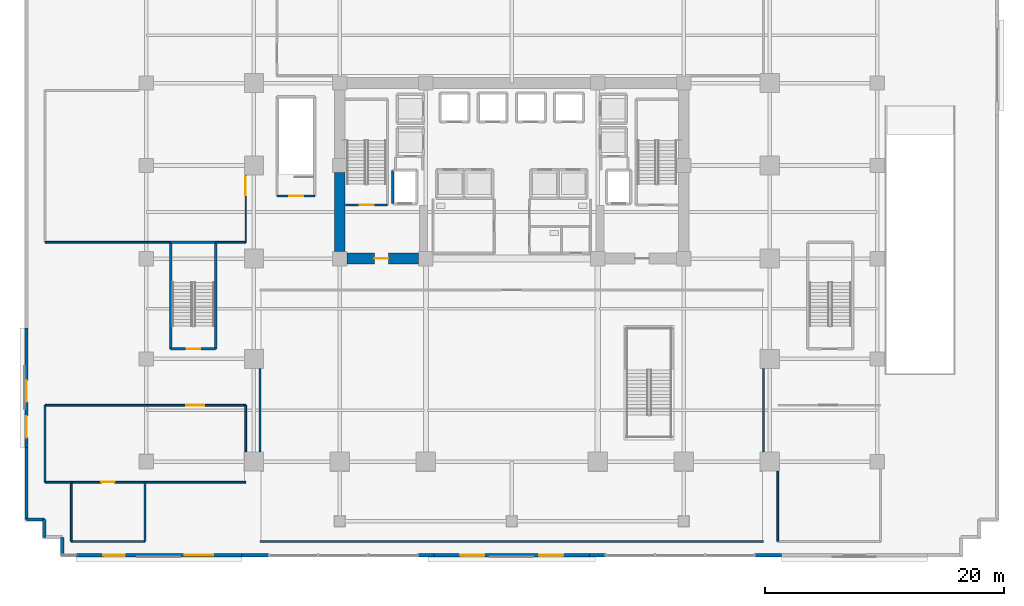
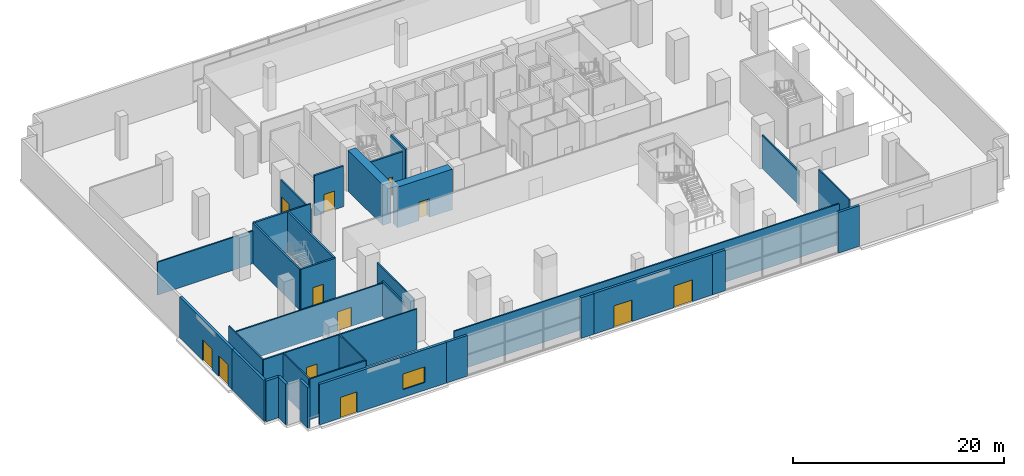
# One storey, part 13 of 27: 36 walls, 12 doors, 1 window, 13 openings.
"""IFC4 building model written with IfcOpenShell, lengths in metres."""

from ifc_helpers import new_model, si_unit, direction, frame, frame_2d, origin, place, context, subcontext, project, spatial, rectangle, extrude, source, transform, mapped, material, layer, layer_set, type_object, element, fill, save


model = new_model("IFC4")

# Units and contexts
model_context = context("Model", 3, precision=1e-05, world=origin(), true_north=direction((0.0, 1.0)))
body_context = subcontext(model_context, "Body", "Model", "MODEL_VIEW")
ifc_project = project(units=[si_unit("LENGTHUNIT", "METRE"), si_unit("AREAUNIT", "SQUARE_METRE"), si_unit("VOLUMEUNIT", "CUBIC_METRE"), si_unit("PLANEANGLEUNIT", "RADIAN"), si_unit("MASSUNIT", "GRAM", prefix="KILO")], contexts=[model_context])

# Site, building, storey
site_placement = place(None, origin())
site = spatial("IfcSite", under=ifc_project, at=site_placement, CompositionType="ELEMENT")
building_placement = place(site_placement, origin())
building = spatial("IfcBuilding", under=site, at=building_placement, Name="Zarnakvel Exchange Tower", CompositionType="ELEMENT")
storey_placement = place(building_placement, origin())
storey = spatial("IfcBuildingStorey", under=building, at=storey_placement, Name="L00", CompositionType="ELEMENT", Elevation=0.0)

# Wall
ifc_material_1 = material(Name="Concrete C80/95", Category="concrete")
ifc_layer_1 = layer(ifc_material_1, 0.89990234375)
ifc_layer_set_1 = layer_set([ifc_layer_1], Name="Concrete C80/95")
wall_type_1 = type_object("IfcWallType", Name="CW-C1", PredefinedType="SHEAR", material=ifc_layer_set_1)
wall_1_placement = place(storey_placement, frame((-14.39990234375, -0.60009765625, 0.0), z_axis=(0.0, 0.0, 1.0), x_axis=(0.0, 1.0, 0.0)))
element("IfcWall", 1, at=wall_1_placement, inside=storey, type_object=wall_type_1, Name="L00 Rear Core Shear Wall W1 (CW-C1)", PredefinedType="SHEAR", context=body_context, shape_type="SweptSolid", body=[
    extrude(rectangle(XDim=6.60009765625, YDim=0.89990234375, at=frame_2d((3.300048828125, 0.0))), origin(), (0.0, 0.0, 1.0), 4.699951171875),
])

# Wall, opening, door
wall_2_placement = place(storey_placement, frame((-7.800048828125, -1.199951171875, 0.0), z_axis=(0.0, 0.0, 1.0), x_axis=(-1.0, 0.0, 0.0)))
wall_2 = element("IfcWall", 2, at=wall_2_placement, inside=storey, type_object=wall_type_1, Name="L00 Rear Core Shear Wall SW (CW-C1)", PredefinedType="SHEAR", context=body_context, shape_type="SweptSolid", body=[
    extrude(rectangle(XDim=6.0, YDim=0.89990234375, at=frame_2d((3.0, 0.0))), origin(), (0.0, 0.0, 1.0), 4.699951171875),
])
opening_1_placement = place(wall_2_placement, frame((2.52490234375, 0.0, 0.0)))
opening_1 = element("IfcOpeningElement", 3, at=opening_1_placement, cuts=wall_2, Name="Opening D-L00-03", PredefinedType="OPENING", context=body_context, shape_type="SweptSolid", body=[
    extrude(rectangle(XDim=1.14990234375, YDim=2.14990234375, at=frame_2d((0.574951171875, 1.074951171875))), frame((0.0, 0.4599609375, 0.0), z_axis=(0.0, -1.0, 0.0), x_axis=(1.0, 0.0, 0.0)), (0.0, 0.0, 1.0), 0.919921875),
])
ifc_material_2 = material(Name="Painted Galvanised Steel S355", Category="steel")
door_type_1 = type_object("IfcDoorType", Name="DT-04", OperationType="NOTDEFINED", PredefinedType="DOOR", material=ifc_material_2)
shared_shape_1 = source(origin(), body_context, "Body", "SweptSolid", [
    extrude(rectangle(XDim=1.14990234375, YDim=2.14990234375, at=frame_2d((0.574951171875, 1.074951171875))), frame((0.0, 0.02490234375, 0.0), z_axis=(0.0, -1.0, 0.0), x_axis=(1.0, 0.0, 0.0)), (0.0, 0.0, 1.0), 0.050048828125),
])
door_1_placement = place(opening_1_placement, origin())
door_1 = element("IfcDoor", 4, at=door_1_placement, inside=storey, type_object=door_type_1, Name="L00 Firefighting Lobby West Door D-L00-03", OperationType="SINGLE_SWING_LEFT", OverallHeight=2.14990234375, OverallWidth=1.14990234375, PredefinedType="DOOR", context=body_context, shape_type="MappedRepresentation", body=[
    mapped(shared_shape_1, transform((0.0, 0.0, 0.0), x_axis=(1.0, 0.0, 0.0), y_axis=(0.0, 1.0, 0.0), z_axis=(0.0, 0.0, 1.0), scale=1.0)),
])
fill(opening_1, door_1)

# Wall, openings, doors
ifc_material_3 = material(Name="Precast concrete C40/50", Category="concrete")
ifc_layer_2 = layer(ifc_material_3, 0.280029296875)
ifc_layer_set_2 = layer_set([ifc_layer_2], Name="Precast concrete C40/50")
wall_type_2 = type_object("IfcWallType", Name="EW-01", PredefinedType="SOLIDWALL", material=ifc_layer_set_2)
wall_3_placement = place(storey_placement, frame((6.5, -26.0400390625, 0.0), z_axis=(0.0, 0.0, 1.0), x_axis=(-1.0, 0.0, 0.0)))
wall_3 = element("IfcWall", 5, at=wall_3_placement, inside=storey, type_object=wall_type_2, Name="L00 Exterior Precast Spandrel Wall EW-L00-SC (EW-01)", PredefinedType="SOLIDWALL", context=body_context, shape_type="SweptSolid", body=[
    extrude(rectangle(XDim=13.0, YDim=0.280029296875, at=frame_2d((6.5, 0.0))), origin(), (0.0, 0.0, 1.0), 4.699951171875),
])
opening_2_placement = place(wall_3_placement, frame((2.199951171875, 0.0, 0.0)))
opening_2 = element("IfcOpeningElement", 6, at=opening_2_placement, cuts=wall_3, Name="Opening MD-01", PredefinedType="OPENING", context=body_context, shape_type="SweptSolid", body=[
    extrude(rectangle(XDim=2.0, YDim=2.5, at=frame_2d((1.0, 1.25))), frame((0.0, 0.14990234375, 0.0), z_axis=(0.0, -1.0, 0.0), x_axis=(1.0, 0.0, 0.0)), (0.0, 0.0, 1.0), 0.300048828125),
])
opening_3_placement = place(wall_3_placement, frame((8.800048828125, 0.0, 0.0)))
opening_3 = element("IfcOpeningElement", 7, at=opening_3_placement, cuts=wall_3, Name="Opening MD-02", PredefinedType="OPENING", context=body_context, shape_type="SweptSolid", body=[
    extrude(rectangle(XDim=2.0, YDim=2.5, at=frame_2d((1.0, 1.25))), frame((0.0, 0.14990234375, 0.0), z_axis=(0.0, -1.0, 0.0), x_axis=(1.0, 0.0, 0.0)), (0.0, 0.0, 1.0), 0.300048828125),
])
ifc_material_4 = material(Name="Architectural Bronze Anodised Aluminium", Category="aluminium")
door_type_2 = type_object("IfcDoorType", Name="DT-01", OperationType="NOTDEFINED", PredefinedType="DOOR", material=ifc_material_4)
shared_shape_2 = source(origin(), body_context, "Body", "SweptSolid", [
    extrude(rectangle(XDim=2.0, YDim=2.5, at=frame_2d((1.0, 1.25))), frame((0.0, 0.02490234375, 0.0), z_axis=(0.0, -1.0, 0.0), x_axis=(1.0, 0.0, 0.0)), (0.0, 0.0, 1.0), 0.050048828125),
])
door_2_placement = place(opening_2_placement, origin())
door_2 = element("IfcDoor", 8, at=door_2_placement, inside=storey, type_object=door_type_2, Name="L00 Main Concourse Entrance Door MD-01", OperationType="DOUBLE_DOOR_SINGLE_SWING", OverallHeight=2.5, OverallWidth=2.0, PredefinedType="DOOR", context=body_context, shape_type="MappedRepresentation", body=[
    mapped(shared_shape_2, transform((0.0, 0.0, 0.0), x_axis=(1.0, 0.0, 0.0), y_axis=(0.0, 1.0, 0.0), z_axis=(0.0, 0.0, 1.0), scale=1.0)),
])
fill(opening_2, door_2)
door_3_placement = place(opening_3_placement, origin())
door_3 = element("IfcDoor", 9, at=door_3_placement, inside=storey, type_object=door_type_2, Name="L00 Main Concourse Entrance Door MD-02", OperationType="DOUBLE_DOOR_SINGLE_SWING", OverallHeight=2.5, OverallWidth=2.0, PredefinedType="DOOR", context=body_context, shape_type="MappedRepresentation", body=[
    mapped(shared_shape_2, transform((0.0, 0.0, 0.0), x_axis=(1.0, 0.0, 0.0), y_axis=(0.0, 1.0, 0.0), z_axis=(0.0, 0.0, 1.0), scale=1.0)),
])
fill(opening_3, door_3)

wall_4_placement = place(storey_placement, frame((-40.639892578125, -17.0, 0.0), z_axis=(0.0, 0.0, 1.0), x_axis=(0.0, 1.0, 0.0)))
wall_4 = element("IfcWall", 10, at=wall_4_placement, inside=storey, type_object=wall_type_2, Name="L00 Exterior Precast Spandrel Wall EW-L00-WX (EW-01)", PredefinedType="SOLIDWALL", context=body_context, shape_type="SweptSolid", body=[
    extrude(rectangle(XDim=10.0, YDim=0.280029296875, at=frame_2d((5.0, 0.0))), origin(), (0.0, 0.0, 1.0), 4.699951171875),
])
opening_4_placement = place(wall_4_placement, frame((3.800048828125, 0.0, 0.0)))
opening_4 = element("IfcOpeningElement", 11, at=opening_4_placement, cuts=wall_4, Name="Opening ED-01", PredefinedType="OPENING", context=body_context, shape_type="SweptSolid", body=[
    extrude(rectangle(XDim=1.800048828125, YDim=2.39990234375, at=frame_2d((0.89990234375, 1.199951171875))), frame((0.0, 0.14990234375, 0.0), z_axis=(0.0, -1.0, 0.0), x_axis=(1.0, 0.0, 0.0)), (0.0, 0.0, 1.0), 0.300048828125),
])
opening_5_placement = place(wall_4_placement, frame((0.800048828125, 0.0, 0.0)))
opening_5 = element("IfcOpeningElement", 12, at=opening_5_placement, cuts=wall_4, Name="Opening ED-02", PredefinedType="OPENING", context=body_context, shape_type="SweptSolid", body=[
    extrude(rectangle(XDim=1.800048828125, YDim=2.39990234375, at=frame_2d((0.89990234375, 1.199951171875))), frame((0.0, 0.14990234375, 0.0), z_axis=(0.0, -1.0, 0.0), x_axis=(1.0, 0.0, 0.0)), (0.0, 0.0, 1.0), 0.300048828125),
])
door_type_3 = type_object("IfcDoorType", Name="DT-02", OperationType="NOTDEFINED", PredefinedType="DOOR", material=ifc_material_4)
shared_shape_3 = source(origin(), body_context, "Body", "SweptSolid", [
    extrude(rectangle(XDim=1.800048828125, YDim=2.39990234375, at=frame_2d((0.89990234375, 1.199951171875))), frame((0.0, 0.02490234375, 0.0), z_axis=(0.0, -1.0, 0.0), x_axis=(1.0, 0.0, 0.0)), (0.0, 0.0, 1.0), 0.050048828125),
])
door_4_placement = place(opening_4_placement, origin())
door_4 = element("IfcDoor", 13, at=door_4_placement, inside=storey, type_object=door_type_3, Name="L00 West Protected Exit Discharge Door ED-01", OperationType="DOUBLE_DOOR_SINGLE_SWING", OverallHeight=2.39990234375, OverallWidth=1.800048828125, PredefinedType="DOOR", context=body_context, shape_type="MappedRepresentation", body=[
    mapped(shared_shape_3, transform((0.0, 0.0, 0.0), x_axis=(1.0, 0.0, 0.0), y_axis=(0.0, 1.0, 0.0), z_axis=(0.0, 0.0, 1.0), scale=1.0)),
])
fill(opening_4, door_4)
door_5_placement = place(opening_5_placement, origin())
door_5 = element("IfcDoor", 14, at=door_5_placement, inside=storey, type_object=door_type_3, Name="L00 Banking Hall West Final Exit Door ED-02", OperationType="DOUBLE_DOOR_SINGLE_SWING", OverallHeight=2.39990234375, OverallWidth=1.800048828125, PredefinedType="DOOR", context=body_context, shape_type="MappedRepresentation", body=[
    mapped(shared_shape_3, transform((0.0, 0.0, 0.0), x_axis=(1.0, 0.0, 0.0), y_axis=(0.0, 1.0, 0.0), z_axis=(0.0, 0.0, 1.0), scale=1.0)),
])
fill(opening_5, door_5)

# Wall, openings, door, window
wall_5_placement = place(storey_placement, frame((-22.60009765625, -26.0400390625, 0.0), z_axis=(0.0, 0.0, 1.0), x_axis=(-1.0, 0.0, 0.0)))
wall_5 = element("IfcWall", 15, at=wall_5_placement, inside=storey, type_object=wall_type_2, Name="L00 Exterior Precast Spandrel Wall EW-L00-SW (EW-01)", PredefinedType="SOLIDWALL", context=body_context, shape_type="SweptSolid", body=[
    extrude(rectangle(XDim=13.89990234375, YDim=0.280029296875, at=frame_2d((6.949951171875, 0.0))), origin(), (0.0, 0.0, 1.0), 4.699951171875),
])
opening_6_placement = place(wall_5_placement, frame((9.800048828125, 0.0, 0.0)))
opening_6 = element("IfcOpeningElement", 16, at=opening_6_placement, cuts=wall_5, Name="Opening ED-03", PredefinedType="OPENING", context=body_context, shape_type="SweptSolid", body=[
    extrude(rectangle(XDim=1.800048828125, YDim=2.39990234375, at=frame_2d((0.89990234375, 1.199951171875))), frame((0.0, 0.14990234375, 0.0), z_axis=(0.0, -1.0, 0.0), x_axis=(1.0, 0.0, 0.0)), (0.0, 0.0, 1.0), 0.300048828125),
])
opening_7_placement = place(wall_5_placement, frame((2.39990234375, 0.0, 0.89990234375)))
opening_7 = element("IfcOpeningElement", 17, at=opening_7_placement, cuts=wall_5, Name="Opening WN-01", PredefinedType="OPENING", context=body_context, shape_type="SweptSolid", body=[
    extrude(rectangle(XDim=2.39990234375, YDim=1.800048828125, at=frame_2d((1.199951171875, 0.89990234375))), frame((0.0, 0.14990234375, 0.0), z_axis=(0.0, -1.0, 0.0), x_axis=(1.0, 0.0, 0.0)), (0.0, 0.0, 1.0), 0.300048828125),
])
door_6_placement = place(opening_6_placement, origin())
door_6 = element("IfcDoor", 18, at=door_6_placement, inside=storey, type_object=door_type_3, Name="L00 Fire Command Centre Exterior Door ED-03", OperationType="DOUBLE_DOOR_SINGLE_SWING", OverallHeight=2.39990234375, OverallWidth=1.800048828125, PredefinedType="DOOR", context=body_context, shape_type="MappedRepresentation", body=[
    mapped(shared_shape_3, transform((0.0, 0.0, 0.0), x_axis=(1.0, 0.0, 0.0), y_axis=(0.0, 1.0, 0.0), z_axis=(0.0, 0.0, 1.0), scale=1.0)),
])
fill(opening_6, door_6)
ifc_material_5 = material(Name="Double Low-E Laminated Vision Glass", Category="glass")
window_type = type_object("IfcWindowType", Name="WN-01", PartitioningType="SINGLE_PANEL", PredefinedType="WINDOW", material=ifc_material_5)
shared_shape_4 = source(origin(), body_context, "Body", "SweptSolid", [
    extrude(rectangle(XDim=2.39990234375, YDim=1.800048828125, at=frame_2d((1.199951171875, 0.89990234375))), frame((0.0, 0.030029296875, 0.0), z_axis=(0.0, -1.0, 0.0), x_axis=(1.0, 0.0, 0.0)), (0.0, 0.0, 1.0), 0.06005859375),
])
window_placement = place(opening_7_placement, origin())
window = element("IfcWindow", 19, at=window_placement, inside=storey, type_object=window_type, Name="L00 Banking Hall South Window", OverallHeight=1.800048828125, OverallWidth=2.39990234375, PartitioningType="SINGLE_PANEL", PredefinedType="WINDOW", context=body_context, shape_type="MappedRepresentation", body=[
    mapped(shared_shape_4, transform((0.0, 0.0, 0.0), x_axis=(1.0, 0.0, 0.0), y_axis=(0.0, 1.0, 0.0), z_axis=(0.0, 0.0, 1.0), scale=1.0)),
])
fill(opening_7, window)

# Walls
wall_6_placement = place(storey_placement, frame((-40.639892578125, -17.0, 0.0), z_axis=(0.0, 0.0, 1.0), x_axis=(0.0, -1.0, 0.0)))
element("IfcWall", 20, at=wall_6_placement, inside=storey, type_object=wall_type_2, Name="L00 Exterior Precast Spandrel Wall EWC-L00-01 (EW-01)", PredefinedType="SOLIDWALL", context=body_context, shape_type="SweptSolid", body=[
    extrude(rectangle(XDim=6.0400390625, YDim=0.280029296875, at=frame_2d((3.02001953125, 0.0))), origin(), (0.0, 0.0, 1.0), 4.699951171875),
])
wall_7_placement = place(storey_placement, frame((20.304931640625, -26.0400390625, 0.0), z_axis=(0.0, 0.0, 1.0), x_axis=(1.0, 0.0, 0.0)))
element("IfcWall", 21, at=wall_7_placement, inside=storey, type_object=wall_type_2, Name="L00 Exterior Precast Spandrel Wall EWC-L00-22 (EW-01)", PredefinedType="SOLIDWALL", context=body_context, shape_type="SweptSolid", body=[
    extrude(rectangle(XDim=2.295166015625, YDim=0.280029296875, at=frame_2d((1.1474609375, 0.0))), origin(), (0.0, 0.0, 1.0), 4.699951171875),
])
for number, where, z_axis, x_axis, name in (
    (22, (6.5, -26.0400390625, 0.0), (0.0, 0.0, 1.0), (1.0, 0.0, 0.0), "L00 Exterior Precast Spandrel Wall EWC-L00-23 (EW-01)"),
    (23, (-7.89501953125, -26.0400390625, 0.0), (0.0, 0.0, 1.0), (1.0, 0.0, 0.0), "L00 Exterior Precast Spandrel Wall EWC-L00-24 (EW-01)"),
):
    element("IfcWall", number, at=place(storey_placement, frame(where, z_axis=z_axis, x_axis=x_axis)), inside=storey, type_object=wall_type_2, Name=name, PredefinedType="SOLIDWALL", context=body_context, shape_type="SweptSolid", body=[
        extrude(rectangle(XDim=1.39501953125, YDim=0.280029296875, at=frame_2d((0.697509765625, 0.0))), origin(), (0.0, 0.0, 1.0), 4.699951171875),
    ])
wall_8_placement = place(storey_placement, frame((-22.60009765625, -26.0400390625, 0.0), z_axis=(0.0, 0.0, 1.0), x_axis=(1.0, 0.0, 0.0)))
element("IfcWall", 24, at=wall_8_placement, inside=storey, type_object=wall_type_2, Name="L00 Exterior Precast Spandrel Wall EWC-L00-25 (EW-01)", PredefinedType="SOLIDWALL", context=body_context, shape_type="SweptSolid", body=[
    extrude(rectangle(XDim=2.295166015625, YDim=0.280029296875, at=frame_2d((1.1474609375, 0.0))), origin(), (0.0, 0.0, 1.0), 4.699951171875),
])
for number, where, z_axis, x_axis, name in (
    (25, (-37.639892578125, -24.5400390625, 0.0), (0.0, 0.0, 1.0), (0.0, -1.0, 0.0), "L00 Exterior Precast Spandrel Wall EWC-L00-27 (EW-01)"),
    (26, (-39.139892578125, -23.0400390625, 0.0), (0.0, 0.0, 1.0), (0.0, -1.0, 0.0), "L00 Exterior Precast Spandrel Wall EWC-L00-29 (EW-01)"),
    (27, (-40.639892578125, -23.0400390625, 0.0), (0.0, 0.0, 1.0), (1.0, 0.0, 0.0), "L00 Exterior Precast Spandrel Wall EWC-L00-30 (EW-01)"),
):
    element("IfcWall", number, at=place(storey_placement, frame(where, z_axis=z_axis, x_axis=x_axis)), inside=storey, type_object=wall_type_2, Name=name, PredefinedType="SOLIDWALL", context=body_context, shape_type="SweptSolid", body=[
        extrude(rectangle(XDim=1.5, YDim=0.280029296875, at=frame_2d((0.75, 0.0))), origin(), (0.0, 0.0, 1.0), 4.699951171875),
    ])
ifc_material_6 = material(Name="Fire-Rated Gypsum Stud Partition", Category="gypsum")
ifc_layer_3 = layer(ifc_material_6, 0.14990234375)
ifc_layer_set_3 = layer_set([ifc_layer_3], Name="Fire-Rated Gypsum Stud Partition")
wall_type_3 = type_object("IfcWallType", Name="PT-01", PredefinedType="PARTITIONING", material=ifc_layer_set_3)
wall_9_placement = place(storey_placement, frame((-30.719970703125, -24.8798828125, 0.0), z_axis=(0.0, 0.0, 1.0), x_axis=(-1.0, 0.0, 0.0)))
element("IfcWall", 28, at=wall_9_placement, inside=storey, type_object=wall_type_3, Name="L00 Partition Wall PWALL-L00-034 (PT-01)", PredefinedType="PARTITIONING", context=body_context, shape_type="SweptSolid", body=[
    extrude(rectangle(XDim=6.159912109375, YDim=0.14990234375, at=frame_2d((3.080078125, 0.0))), origin(), (0.0, 0.0, 1.0), 4.699951171875),
])

# Wall, opening, door
wall_10_placement = place(storey_placement, frame((-36.8798828125, -19.919921875, 0.0), z_axis=(0.0, 0.0, 1.0), x_axis=(1.0, 0.0, 0.0)))
wall_10 = element("IfcWall", 29, at=wall_10_placement, inside=storey, type_object=wall_type_3, Name="L00 Partition Wall PWALL-L00-035 (PT-01)", PredefinedType="PARTITIONING", context=body_context, shape_type="SweptSolid", body=[
    extrude(rectangle(XDim=6.159912109375, YDim=0.14990234375, at=frame_2d((3.080078125, 0.0))), origin(), (0.0, 0.0, 1.0), 4.699951171875),
])
opening_8_placement = place(wall_10_placement, frame((2.5048828125, 0.0, 0.0)))
opening_8 = element("IfcOpeningElement", 30, at=opening_8_placement, cuts=wall_10, Name="Opening D-L00-12", PredefinedType="OPENING", context=body_context, shape_type="SweptSolid", body=[
    extrude(rectangle(XDim=1.14990234375, YDim=2.14990234375, at=frame_2d((0.574951171875, 1.074951171875))), frame((0.0, 0.0849609375, 0.0), z_axis=(0.0, -1.0, 0.0), x_axis=(1.0, 0.0, 0.0)), (0.0, 0.0, 1.0), 0.169921875),
])
door_7_placement = place(opening_8_placement, origin())
door_7 = element("IfcDoor", 31, at=door_7_placement, inside=storey, type_object=door_type_1, Name="L00 Fire Command Centre Door D-L00-12", OperationType="SINGLE_SWING_RIGHT", OverallHeight=2.14990234375, OverallWidth=1.14990234375, PredefinedType="DOOR", context=body_context, shape_type="MappedRepresentation", body=[
    mapped(shared_shape_1, transform((0.0, 0.0, 0.0), x_axis=(1.0, 0.0, 0.0), y_axis=(0.0, 1.0, 0.0), z_axis=(0.0, 0.0, 1.0), scale=1.0)),
])
fill(opening_8, door_7)

# Walls
for number, where, z_axis, x_axis, name in (
    (32, (-36.8798828125, -24.8798828125, 0.0), (0.0, 0.0, 1.0), (0.0, 1.0, 0.0), "L00 Partition Wall PWALL-L00-036 (PT-01)"),
    (33, (-30.719970703125, -19.919921875, 0.0), (0.0, 0.0, 1.0), (0.0, -1.0, 0.0), "L00 Partition Wall PWALL-L00-037 (PT-01)"),
):
    element("IfcWall", number, at=place(storey_placement, frame(where, z_axis=z_axis, x_axis=x_axis)), inside=storey, type_object=wall_type_3, Name=name, PredefinedType="PARTITIONING", context=body_context, shape_type="SweptSolid", body=[
        extrude(rectangle(XDim=4.9599609375, YDim=0.14990234375, at=frame_2d((2.47998046875, 0.0))), origin(), (0.0, 0.0, 1.0), 4.699951171875),
    ])
wall_11_placement = place(storey_placement, frame((-36.8798828125, -19.919921875, 0.0), z_axis=(0.0, 0.0, 1.0), x_axis=(-1.0, 0.0, 0.0)))
element("IfcWall", 34, at=wall_11_placement, inside=storey, type_object=wall_type_3, Name="L00 Partition Wall PWALL-L00-038 (PT-01)", PredefinedType="PARTITIONING", context=body_context, shape_type="SweptSolid", body=[
    extrude(rectangle(XDim=2.2001953125, YDim=0.14990234375, at=frame_2d((1.10009765625, 0.0))), origin(), (0.0, 0.0, 1.0), 4.699951171875),
])
wall_12_placement = place(storey_placement, frame((-22.280029296875, -19.919921875, 0.0), z_axis=(0.0, 0.0, 1.0), x_axis=(-1.0, 0.0, 0.0)))
element("IfcWall", 35, at=wall_12_placement, inside=storey, type_object=wall_type_3, Name="L00 Partition Wall PWALL-L00-039 (PT-01)", PredefinedType="PARTITIONING", context=body_context, shape_type="SweptSolid", body=[
    extrude(rectangle(XDim=8.43994140625, YDim=0.14990234375, at=frame_2d((4.219970703125, 0.0))), origin(), (0.0, 0.0, 1.0), 4.699951171875),
])

# Wall, opening, door
wall_13_placement = place(storey_placement, frame((-39.080078125, -13.47998046875, 0.0), z_axis=(0.0, 0.0, 1.0), x_axis=(1.0, 0.0, 0.0)))
wall_13 = element("IfcWall", 36, at=wall_13_placement, inside=storey, type_object=wall_type_3, Name="L00 Partition Wall PWALL-L00-040 (PT-01)", PredefinedType="PARTITIONING", context=body_context, shape_type="SweptSolid", body=[
    extrude(rectangle(XDim=16.800048828125, YDim=0.14990234375, at=frame_2d((8.39990234375, 0.0))), origin(), (0.0, 0.0, 1.0), 3.7900390625),
])
opening_9_placement = place(wall_13_placement, frame((11.830078125, 0.0, 0.0)))
opening_9 = element("IfcOpeningElement", 37, at=opening_9_placement, cuts=wall_13, Name="Opening D-L00-13", PredefinedType="OPENING", context=body_context, shape_type="SweptSolid", body=[
    extrude(rectangle(XDim=1.5, YDim=2.199951171875, at=frame_2d((0.75, 1.10009765625))), frame((0.0, 0.0849609375, 0.0), z_axis=(0.0, -1.0, 0.0), x_axis=(1.0, 0.0, 0.0)), (0.0, 0.0, 1.0), 0.169921875),
])
ifc_material_7 = material(Name="Timber Acoustic Veneer", Category="wood")
door_type_4 = type_object("IfcDoorType", Name="DT-03", OperationType="NOTDEFINED", PredefinedType="DOOR", material=ifc_material_7)
shared_shape_5 = source(origin(), body_context, "Body", "SweptSolid", [
    extrude(rectangle(XDim=1.5, YDim=2.199951171875, at=frame_2d((0.75, 1.10009765625))), frame((0.0, 0.02490234375, 0.0), z_axis=(0.0, -1.0, 0.0), x_axis=(1.0, 0.0, 0.0)), (0.0, 0.0, 1.0), 0.050048828125),
])
door_8_placement = place(opening_9_placement, origin())
door_8 = element("IfcDoor", 38, at=door_8_placement, inside=storey, type_object=door_type_4, Name="L00 Public Banking Hall Door D-L00-13", OperationType="DOUBLE_DOOR_SINGLE_SWING", OverallHeight=2.199951171875, OverallWidth=1.5, PredefinedType="DOOR", context=body_context, shape_type="MappedRepresentation", body=[
    mapped(shared_shape_5, transform((0.0, 0.0, 0.0), x_axis=(1.0, 0.0, 0.0), y_axis=(0.0, 1.0, 0.0), z_axis=(0.0, 0.0, 1.0), scale=1.0)),
])
fill(opening_9, door_8)

# Walls
wall_14_placement = place(storey_placement, frame((-39.080078125, -19.919921875, 0.0), z_axis=(0.0, 0.0, 1.0), x_axis=(0.0, 1.0, 0.0)))
element("IfcWall", 39, at=wall_14_placement, inside=storey, type_object=wall_type_3, Name="L00 Partition Wall PWALL-L00-041 (PT-01)", PredefinedType="PARTITIONING", context=body_context, shape_type="SweptSolid", body=[
    extrude(rectangle(XDim=6.43994140625, YDim=0.14990234375, at=frame_2d((3.219970703125, 0.0))), origin(), (0.0, 0.0, 1.0), 4.699951171875),
])
wall_15_placement = place(storey_placement, frame((-22.280029296875, -13.47998046875, 0.0), z_axis=(0.0, 0.0, 1.0), x_axis=(0.0, -1.0, 0.0)))
element("IfcWall", 40, at=wall_15_placement, inside=storey, type_object=wall_type_3, Name="L00 Partition Wall PWALL-L00-042 (PT-01)", PredefinedType="PARTITIONING", context=body_context, shape_type="SweptSolid", body=[
    extrude(rectangle(XDim=3.89990234375, YDim=0.14990234375, at=frame_2d((1.949951171875, 0.0))), origin(), (0.0, 0.0, 1.0), 3.9970703125),
])
wall_16_placement = place(storey_placement, frame((21.080078125, -24.8798828125, 0.0), z_axis=(0.0, 0.0, 1.0), x_axis=(-1.0, 0.0, 0.0)))
element("IfcWall", 41, at=wall_16_placement, inside=storey, type_object=wall_type_3, Name="L00 Partition Wall PWALL-L00-043 (PT-01)", PredefinedType="PARTITIONING", context=body_context, shape_type="SweptSolid", body=[
    extrude(rectangle(XDim=42.16015625, YDim=0.14990234375, at=frame_2d((21.080078125, 0.0))), origin(), (0.0, 0.0, 1.0), 4.699951171875),
])
for number, where, z_axis, x_axis, name in (
    (42, (-21.080078125, -17.3798828125, 0.0), (0.0, 0.0, 1.0), (0.0, 1.0, 0.0), "L00 Partition Wall PWALL-L00-045 (PT-01)"),
    (43, (21.080078125, -10.419921875, 0.0), (0.0, 0.0, 1.0), (0.0, -1.0, 0.0), "L00 Partition Wall PWALL-L00-046 (PT-01)"),
):
    element("IfcWall", number, at=place(storey_placement, frame(where, z_axis=z_axis, x_axis=x_axis)), inside=storey, type_object=wall_type_3, Name=name, PredefinedType="PARTITIONING", context=body_context, shape_type="SweptSolid", body=[
        extrude(rectangle(XDim=6.9599609375, YDim=0.14990234375, at=frame_2d((3.47998046875, 0.0))), origin(), (0.0, 0.0, 1.0), 3.889892578125),
    ])
wall_17_placement = place(storey_placement, frame((-28.56005859375, 0.169921875, 0.0), z_axis=(0.0, 0.0, 1.0), x_axis=(-1.0, 0.0, 0.0)))
element("IfcWall", 44, at=wall_17_placement, inside=storey, type_object=wall_type_3, Name="L00 Partition Wall PWALL-L00-047 (PT-01)", PredefinedType="PARTITIONING", context=body_context, shape_type="SweptSolid", body=[
    extrude(rectangle(XDim=10.52001953125, YDim=0.14990234375, at=frame_2d((5.260009765625, 0.0))), origin(), (0.0, 0.0, 1.0), 3.7900390625),
])
wall_18_placement = place(storey_placement, frame((-22.280029296875, 0.169921875, 0.0), z_axis=(0.0, 0.0, 1.0), x_axis=(-1.0, 0.0, 0.0)))
element("IfcWall", 45, at=wall_18_placement, inside=storey, type_object=wall_type_3, Name="L00 Partition Wall PWALL-L00-048 (PT-01)", PredefinedType="PARTITIONING", context=body_context, shape_type="SweptSolid", body=[
    extrude(rectangle(XDim=2.510009765625, YDim=0.14990234375, at=frame_2d((1.2548828125, 0.0))), origin(), (0.0, 0.0, 1.0), 4.699951171875),
])

# Wall, opening, door
wall_19_placement = place(storey_placement, frame((-22.280029296875, 5.780029296875, 0.0), z_axis=(0.0, 0.0, 1.0), x_axis=(0.0, -1.0, 0.0)))
wall_19 = element("IfcWall", 46, at=wall_19_placement, inside=storey, type_object=wall_type_3, Name="L00 Partition Wall PWALL-L00-051 (PT-01)", PredefinedType="PARTITIONING", context=body_context, shape_type="SweptSolid", body=[
    extrude(rectangle(XDim=5.610107421875, YDim=0.14990234375, at=frame_2d((2.80517578125, 0.0))), origin(), (0.0, 0.0, 1.0), 4.07275390625),
])
opening_10_placement = place(wall_19_placement, frame((0.179931640625, 0.0, 0.0)))
opening_10 = element("IfcOpeningElement", 47, at=opening_10_placement, cuts=wall_19, Name="Opening D-L00-15", PredefinedType="OPENING", context=body_context, shape_type="SweptSolid", body=[
    extrude(rectangle(XDim=1.5, YDim=2.199951171875, at=frame_2d((0.75, 1.10009765625))), frame((0.0, 0.0849609375, 0.0), z_axis=(0.0, -1.0, 0.0), x_axis=(1.0, 0.0, 0.0)), (0.0, 0.0, 1.0), 0.169921875),
])
door_9_placement = place(opening_10_placement, origin())
door_9 = element("IfcDoor", 48, at=door_9_placement, inside=storey, type_object=door_type_4, Name="L00 Financial Retail Suite West Door D-L00-15", OperationType="DOUBLE_DOOR_SINGLE_SWING", OverallHeight=2.199951171875, OverallWidth=1.5, PredefinedType="DOOR", context=body_context, shape_type="MappedRepresentation", body=[
    mapped(shared_shape_5, transform((0.0, 0.0, 0.0), x_axis=(1.0, 0.0, 0.0), y_axis=(0.0, 1.0, 0.0), z_axis=(0.0, 0.0, 1.0), scale=1.0)),
])
fill(opening_10, door_9)

# Walls
wall_20_placement = place(storey_placement, frame((22.280029296875, -24.8798828125, 0.0), z_axis=(0.0, 0.0, 1.0), x_axis=(0.0, 1.0, 0.0)))
element("IfcWall", 49, at=wall_20_placement, inside=storey, type_object=wall_type_3, Name="L00 Partition Wall PWALL-L00-054 (PT-01)", PredefinedType="PARTITIONING", context=body_context, shape_type="SweptSolid", body=[
    extrude(rectangle(XDim=5.85986328125, YDim=0.14990234375, at=frame_2d((2.929931640625, 0.0))), origin(), (0.0, 0.0, 1.0), 4.699951171875),
])
ifc_material_8 = material(Name="Concrete C40/50", Category="concrete")
ifc_layer_4 = layer(ifc_material_8, 0.199951171875)
ifc_layer_set_4 = layer_set([ifc_layer_4], Name="Concrete C40/50")
wall_type_4 = type_object("IfcWallType", Name="SW-01", PredefinedType="SOLIDWALL", material=ifc_layer_set_4)
wall_21_placement = place(storey_placement, frame((-9.949951171875, 3.39990234375, 0.0), z_axis=(0.0, 0.0, 1.0), x_axis=(0.0, 1.0, 0.0)))
element("IfcWall", 50, at=wall_21_placement, inside=storey, type_object=wall_type_4, Name="L00 FL-01 Hoistway Wall West", PredefinedType="SOLIDWALL", context=body_context, shape_type="SweptSolid", body=[
    extrude(rectangle(XDim=2.800048828125, YDim=0.199951171875, at=frame_2d((1.39990234375, 0.0))), origin(), (0.0, 0.0, 1.0), 4.699951171875),
])

# Wall, opening, door
ifc_layer_5 = layer(ifc_material_8, 0.199951171875)
ifc_layer_set_5 = layer_set([ifc_layer_5], Name="Concrete C40/50")
wall_type_5 = type_object("IfcWallType", Name="SW-02", PredefinedType="SOLIDWALL", material=ifc_layer_set_5)
wall_22_placement = place(storey_placement, frame((-10.409912109375, 3.2900390625, 0.0), z_axis=(0.0, 0.0, 1.0), x_axis=(-1.0, 0.0, 0.0)))
wall_22 = element("IfcWall", 51, at=wall_22_placement, inside=storey, type_object=wall_type_5, Name="L00 Stairwell Core Wall PWALL-L00-001 (SW-02)", PredefinedType="SOLIDWALL", context=body_context, shape_type="SweptSolid", body=[
    extrude(rectangle(XDim=3.52001953125, YDim=0.199951171875, at=frame_2d((1.760009765625, 0.0))), origin(), (0.0, 0.0, 1.0), 4.699951171875),
])
opening_11_placement = place(wall_22_placement, frame((1.1650390625, 0.0, 0.0)))
opening_11 = element("IfcOpeningElement", 52, at=opening_11_placement, cuts=wall_22, Name="Opening D-L00-01", PredefinedType="OPENING", context=body_context, shape_type="SweptSolid", body=[
    extrude(rectangle(XDim=1.14990234375, YDim=2.14990234375, at=frame_2d((0.574951171875, 1.074951171875))), frame((0.0, 0.10986328125, 0.0), z_axis=(0.0, -1.0, 0.0), x_axis=(1.0, 0.0, 0.0)), (0.0, 0.0, 1.0), 0.219970703125),
])
door_10_placement = place(opening_11_placement, origin())
door_10 = element("IfcDoor", 53, at=door_10_placement, inside=storey, type_object=door_type_1, Name="L00 Stairwell ST-01 Door D-L00-01", OperationType="SINGLE_SWING_LEFT", OverallHeight=2.14990234375, OverallWidth=1.14990234375, PredefinedType="DOOR", context=body_context, shape_type="MappedRepresentation", body=[
    mapped(shared_shape_1, transform((0.0, 0.0, 0.0), x_axis=(1.0, 0.0, 0.0), y_axis=(0.0, 1.0, 0.0), z_axis=(0.0, 0.0, 1.0), scale=1.0)),
])
fill(opening_11, door_10)

wall_23_placement = place(storey_placement, frame((-24.7900390625, -8.760009765625, 0.0), z_axis=(0.0, 0.0, 1.0), x_axis=(-1.0, 0.0, 0.0)))
wall_23 = element("IfcWall", 54, at=wall_23_placement, inside=storey, type_object=wall_type_5, Name="L00 Stairwell Core Wall PWALL-L00-022 (SW-02)", PredefinedType="SOLIDWALL", context=body_context, shape_type="SweptSolid", body=[
    extrude(rectangle(XDim=3.77001953125, YDim=0.199951171875, at=frame_2d((1.885009765625, 0.0))), origin(), (0.0, 0.0, 1.0), 4.699951171875),
])
opening_12_placement = place(wall_23_placement, frame((1.284912109375, 0.0, 0.0)))
opening_12 = element("IfcOpeningElement", 55, at=opening_12_placement, cuts=wall_23, Name="Opening D-L00-09", PredefinedType="OPENING", context=body_context, shape_type="SweptSolid", body=[
    extrude(rectangle(XDim=1.14990234375, YDim=2.14990234375, at=frame_2d((0.574951171875, 1.074951171875))), frame((0.0, 0.10986328125, 0.0), z_axis=(0.0, -1.0, 0.0), x_axis=(1.0, 0.0, 0.0)), (0.0, 0.0, 1.0), 0.219970703125),
])
door_11_placement = place(opening_12_placement, origin())
door_11 = element("IfcDoor", 56, at=door_11_placement, inside=storey, type_object=door_type_1, Name="L00 Stairwell ST-03 Door D-L00-09", OperationType="SINGLE_SWING_LEFT", OverallHeight=2.14990234375, OverallWidth=1.14990234375, PredefinedType="DOOR", context=body_context, shape_type="MappedRepresentation", body=[
    mapped(shared_shape_1, transform((0.0, 0.0, 0.0), x_axis=(1.0, 0.0, 0.0), y_axis=(0.0, 1.0, 0.0), z_axis=(0.0, 0.0, 1.0), scale=1.0)),
])
fill(opening_12, door_11)

# Walls
wall_24_placement = place(storey_placement, frame((-28.56005859375, 0.159912109375, 0.0), z_axis=(0.0, 0.0, 1.0), x_axis=(1.0, 0.0, 0.0)))
element("IfcWall", 57, at=wall_24_placement, inside=storey, type_object=wall_type_5, Name="L00 Stairwell Core Wall PWALL-L00-023 (SW-02)", PredefinedType="SOLIDWALL", context=body_context, shape_type="SweptSolid", body=[
    extrude(rectangle(XDim=3.77001953125, YDim=0.199951171875, at=frame_2d((1.885009765625, 0.0))), origin(), (0.0, 0.0, 1.0), 4.699951171875),
])
for number, where, z_axis, x_axis, name in (
    (58, (-28.56005859375, -8.760009765625, 0.0), (0.0, 0.0, 1.0), (0.0, 1.0, 0.0), "L00 Stairwell Core Wall PWALL-L00-024 (SW-02)"),
    (59, (-24.7900390625, 0.159912109375, 0.0), (0.0, 0.0, 1.0), (0.0, -1.0, 0.0), "L00 Stairwell Core Wall PWALL-L00-025 (SW-02)"),
):
    element("IfcWall", number, at=place(storey_placement, frame(where, z_axis=z_axis, x_axis=x_axis)), inside=storey, type_object=wall_type_5, Name=name, PredefinedType="SOLIDWALL", context=body_context, shape_type="SweptSolid", body=[
        extrude(rectangle(XDim=8.919921875, YDim=0.199951171875, at=frame_2d((4.4599609375, 0.0))), origin(), (0.0, 0.0, 1.0), 4.699951171875),
    ])

# Wall, opening, door
wall_25_placement = place(storey_placement, frame((-16.489990234375, 4.0400390625, 0.0), z_axis=(0.0, 0.0, 1.0), x_axis=(-1.0, 0.0, 0.0)))
wall_25 = element("IfcWall", 60, at=wall_25_placement, inside=storey, type_object=wall_type_5, Name="L00 Stairwell Core Wall PWALL-L00-030 (SW-02)", PredefinedType="SOLIDWALL", context=body_context, shape_type="SweptSolid", body=[
    extrude(rectangle(XDim=3.169921875, YDim=0.199951171875, at=frame_2d((1.5849609375, 0.0))), origin(), (0.0, 0.0, 1.0), 4.699951171875),
])
opening_13_placement = place(wall_25_placement, frame((0.985107421875, 0.0, 0.0)))
opening_13 = element("IfcOpeningElement", 61, at=opening_13_placement, cuts=wall_25, Name="Opening D-L00-11", PredefinedType="OPENING", context=body_context, shape_type="SweptSolid", body=[
    extrude(rectangle(XDim=1.14990234375, YDim=2.14990234375, at=frame_2d((0.574951171875, 1.074951171875))), frame((0.0, 0.10986328125, 0.0), z_axis=(0.0, -1.0, 0.0), x_axis=(1.0, 0.0, 0.0)), (0.0, 0.0, 1.0), 0.219970703125),
])
door_12_placement = place(opening_13_placement, origin())
door_12 = element("IfcDoor", 62, at=door_12_placement, inside=storey, type_object=door_type_1, Name="L00 Stairwell ST-05 Door D-L00-11", OperationType="SINGLE_SWING_LEFT", OverallHeight=2.14990234375, OverallWidth=1.14990234375, PredefinedType="DOOR", context=body_context, shape_type="MappedRepresentation", body=[
    mapped(shared_shape_1, transform((0.0, 0.0, 0.0), x_axis=(1.0, 0.0, 0.0), y_axis=(0.0, 1.0, 0.0), z_axis=(0.0, 0.0, 1.0), scale=1.0)),
])
fill(opening_13, door_12)

save(model, "model.ifc")
